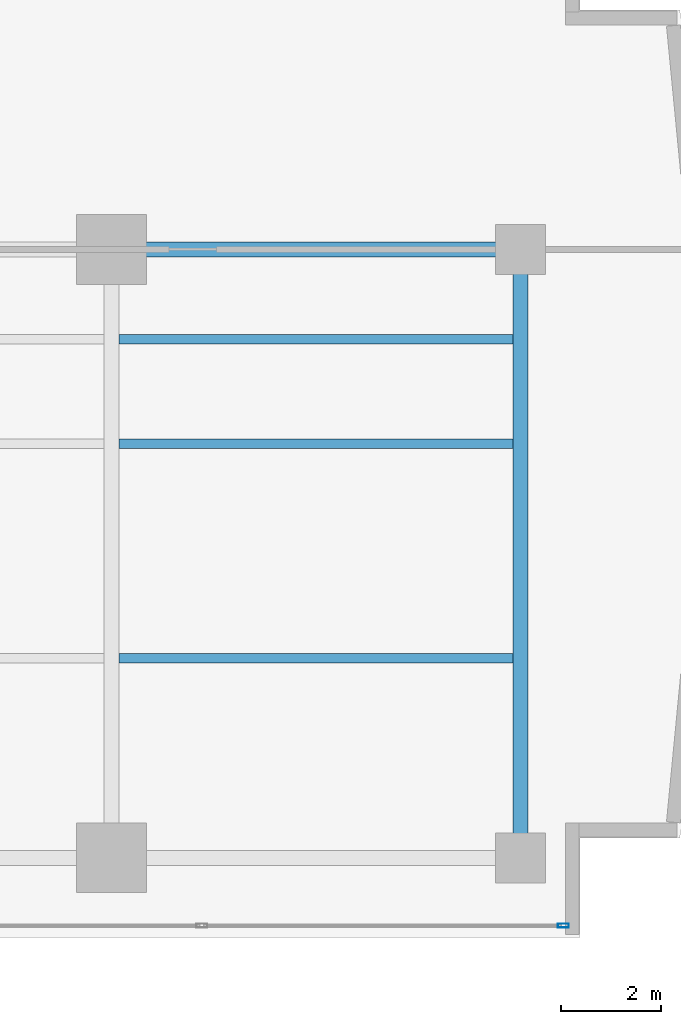
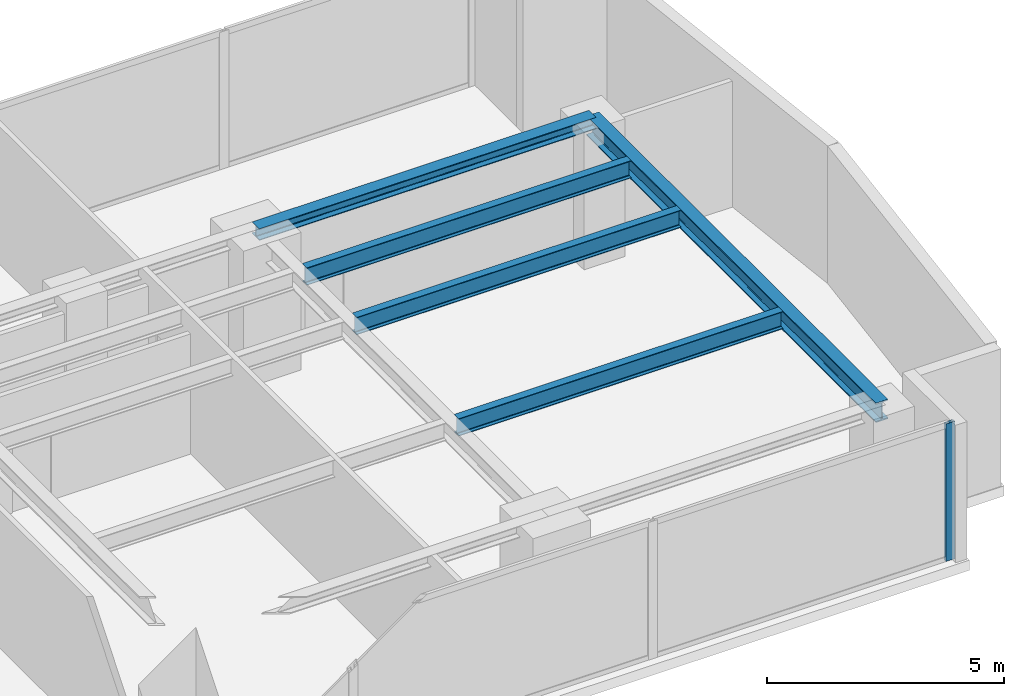
# One storey, part 14 of 29: 5 beams, 1 member, 1 element without a shape of its own.
"""IFC4 building model written with IfcOpenShell, lengths in metres."""

from ifc_helpers import new_model, si_unit, direction, frame, origin, origin_with_axes, origin_2d, place, context, subcontext, project, spatial, hollow_rectangle, i_section, extrude, source, transform, mapped, material, layer, layer_set, material_profile, profile_set, type_object, element, aggregate, save


model = new_model("IFC4")

# Units and contexts
model_context = context("Model", 3, precision=1e-05, world=origin(), true_north=direction((0.0, 1.0)))
body_context = subcontext(model_context, "Body", "Model", "MODEL_VIEW")
ifc_project = project(units=[si_unit("LENGTHUNIT", "METRE"), si_unit("AREAUNIT", "SQUARE_METRE"), si_unit("VOLUMEUNIT", "CUBIC_METRE"), si_unit("PLANEANGLEUNIT", "RADIAN"), si_unit("MASSUNIT", "GRAM", prefix="KILO")], contexts=[model_context])

# Site, building, storey
site_placement = place(None, origin())
site = spatial("IfcSite", under=ifc_project, at=site_placement, CompositionType="ELEMENT")
building_placement = place(site_placement, origin())
building = spatial("IfcBuilding", under=site, at=building_placement, Name="Kolvaren Waterfront Exchange", CompositionType="ELEMENT")
storey_placement = place(building_placement, frame((0.0, 0.0, 129.699951171875)))
storey = spatial("IfcBuildingStorey", under=building, at=storey_placement, Name="L33", CompositionType="ELEMENT", Elevation=129.699951171875)

# Beams
ifc_material_1 = material(Name="Steel S355", Category="steel")
ifc_material_profile_1 = material_profile(ifc_material_1, i_section(OverallWidth=0.300048828125, OverallDepth=0.300048828125, WebThickness=0.010986328125, FlangeThickness=0.01904296875, FilletRadius=0.027099609375, at=origin_2d()), Name="HEB300")
ifc_profile_set_1 = profile_set([ifc_material_profile_1], Name="Steel S355")
beam_type_1 = type_object("IfcBeamType", Name="STR-BM-HEB300", PredefinedType="SPANDREL", material=ifc_profile_set_1)
beam_1_placement = place(storey_placement, frame((45.60009765625, 17.39990234375, 3.39013671875), z_axis=(1.0, 0.0, 0.0), x_axis=(0.0, 1.0, 0.0)))
element("IfcBeam", 1, at=beam_1_placement, inside=storey, type_object=beam_type_1, Name="L33 east-arm spandrel N4", PredefinedType="SPANDREL", context=body_context, shape_type="SweptSolid", body=[
    extrude(i_section(OverallWidth=0.300048828125, OverallDepth=0.300048828125, WebThickness=0.010986328125, FlangeThickness=0.01904296875, FilletRadius=0.027099609375, at=origin_2d()), origin(), (0.0, 0.0, 1.0), 8.199951171875),
])
ifc_material_profile_2 = material_profile(ifc_material_1, i_section(OverallWidth=0.300048828125, OverallDepth=0.5, WebThickness=0.014404296875, FlangeThickness=0.028076171875, FilletRadius=0.027099609375, at=origin_2d()), Name="HEB500")
ifc_profile_set_2 = profile_set([ifc_material_profile_2], Name="Steel S355")
beam_type_2 = type_object("IfcBeamType", Name="STR-BM-HEB500", PredefinedType="BEAM", material=ifc_profile_set_2)
beam_2_placement = place(storey_placement, frame((53.800048828125, 5.199951171875, 3.2900390625), z_axis=(0.0, 1.0, 0.0), x_axis=(-1.0, 0.0, 0.0)))
element("IfcBeam", 2, at=beam_2_placement, inside=storey, type_object=beam_type_2, Name="L33 east-arm transverse girder X53", PredefinedType="BEAM", context=body_context, shape_type="SweptSolid", body=[
    extrude(i_section(OverallWidth=0.300048828125, OverallDepth=0.5, WebThickness=0.014404296875, FlangeThickness=0.028076171875, FilletRadius=0.027099609375, at=origin_2d()), origin(), (0.0, 0.0, 1.0), 12.199951171875),
])
ifc_material_profile_3 = material_profile(ifc_material_1, i_section(OverallWidth=0.18994140625, OverallDepth=0.449951171875, WebThickness=0.009521484375, FlangeThickness=0.0146484375, FilletRadius=0.02099609375, at=origin_2d()), Name="IPE450")
ifc_profile_set_3 = profile_set([ifc_material_profile_3], Name="Steel S355")
beam_type_3 = type_object("IfcBeamType", Name="STR-BM-IPE450", PredefinedType="JOIST", material=ifc_profile_set_3)
for number, where, z_axis, x_axis, name in (
    (3, (45.751953125, 13.5, 3.31494140625), (1.0, 0.0, 0.0), (0.0, 1.0, 0.0), "L33 east-arm composite joist 4A"),
    (4, (45.751953125, 15.60009765625, 3.31494140625), (1.0, 0.0, 0.0), (0.0, 1.0, 0.0), "L33 east-arm composite joist 4C"),
    (5, (45.751953125, 9.199951171875, 3.31494140625), (1.0, 0.0, 0.0), (0.0, 1.0, 0.0), "L33 east-arm composite joist 4B"),
):
    element("IfcBeam", number, at=place(storey_placement, frame(where, z_axis=z_axis, x_axis=x_axis)), inside=storey, type_object=beam_type_3, Name=name, PredefinedType="JOIST", context=body_context, shape_type="SweptSolid", body=[
        extrude(i_section(OverallWidth=0.18994140625, OverallDepth=0.449951171875, WebThickness=0.009521484375, FlangeThickness=0.0146484375, FilletRadius=0.02099609375, at=origin_2d()), origin(), (0.0, 0.0, 1.0), 7.89599609375),
    ])

# Curtain wall, member
ifc_material_2 = material(Name="Anodised bronze aluminium 6063-T6", Category="aluminium")
ifc_layer = layer(ifc_material_2, 0.219970703125, Name="Anodised bronze aluminium 6063-T6")
ifc_layer_set = layer_set([ifc_layer], Name="Anodised bronze aluminium 6063-T6")
curtain_wall_type = type_object("IfcCurtainWallType", Name="ARC-CW-SYS1", PredefinedType="USERDEFINED", material=ifc_layer_set)
curtain_wall_placement = place(storey_placement, origin())
curtain_wall = element("IfcCurtainWall", 6, at=curtain_wall_placement, inside=storey, type_object=curtain_wall_type, Name="L33 stick curtain wall CW1 (CW-L33-S)", ObjectType="STICK CURTAIN WALL", PredefinedType="USERDEFINED")
ifc_material_3 = material(Name="Anodised aluminium 6063-T6", Category="aluminium")
ifc_material_profile_4 = material_profile(ifc_material_3, hollow_rectangle(XDim=0.080078125, YDim=0.219970703125, WallThickness=0.0048828125, at=origin_2d()), Name="ALU-MUL-220x80x5")
ifc_profile_set_4 = profile_set([ifc_material_profile_4], Name="Anodised aluminium 6063-T6")
member_type = type_object("IfcMemberType", Name="ARC-CWM-220", PredefinedType="MULLION", material=ifc_profile_set_4)
shared_shape = source(origin_with_axes(), body_context, "Body", "SweptSolid", [
    extrude(hollow_rectangle(XDim=0.080078125, YDim=0.219970703125, WallThickness=0.0048828125, at=origin_2d()), origin(), (0.0, 0.0, 1.0), 3.5400390625),
])
member_placement = place(storey_placement, frame((54.659912109375, 3.840087890625, 0.0), z_axis=(0.0, 0.0, 1.0), x_axis=(0.0, 1.0, 0.0)))
member = element("IfcMember", 7, at=member_placement, type_object=member_type, Name="CW1 mullion 8", PredefinedType="MULLION", context=body_context, shape_type="MappedRepresentation", body=[
    mapped(shared_shape, transform((0.0, 0.0, 0.0), x_axis=(1.0, 0.0, 0.0), y_axis=(0.0, 1.0, 0.0), z_axis=(0.0, 0.0, 1.0), scale=1.0)),
])
aggregate(curtain_wall, [member])

save(model, "model.ifc")
